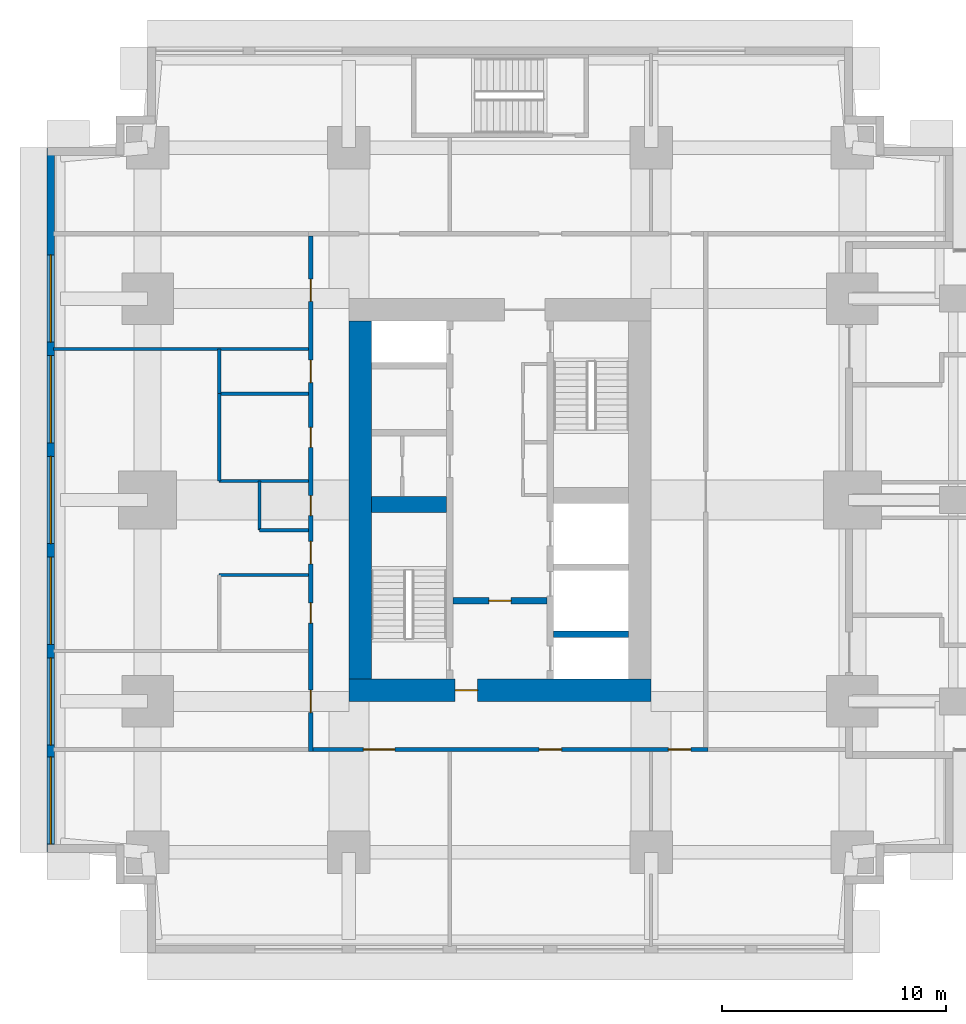
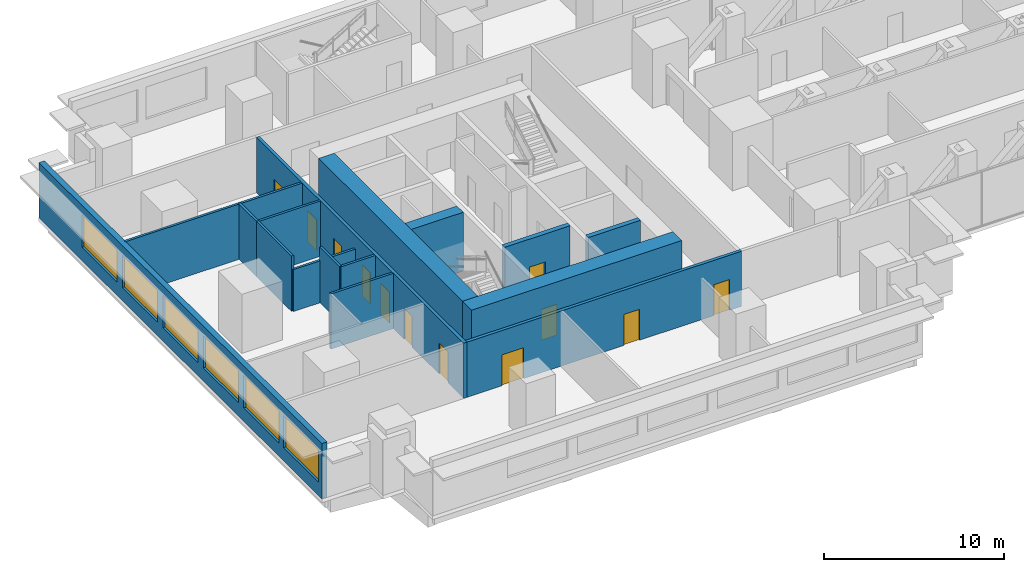
# One storey, part 7 of 16: 16 walls, 12 doors, 6 windows, 18 openings.
"""IFC4 building model written with IfcOpenShell, lengths in metres."""

from ifc_helpers import new_model, si_unit, direction, frame, frame_2d, origin, place, context, subcontext, project, spatial, rectangle, extrude, material, layer, layer_set, type_object, element, fill, save


model = new_model("IFC4")

# Units and contexts
model_context = context("Model", 3, precision=1e-05, world=origin(), true_north=direction((0.0, 1.0)))
body_context = subcontext(model_context, "Body", "Model", "MODEL_VIEW")
ifc_project = project(units=[si_unit("LENGTHUNIT", "METRE"), si_unit("AREAUNIT", "SQUARE_METRE"), si_unit("VOLUMEUNIT", "CUBIC_METRE"), si_unit("PLANEANGLEUNIT", "RADIAN"), si_unit("MASSUNIT", "GRAM", prefix="KILO")], contexts=[model_context])

# Site, building, storey
site_placement = place(None, origin())
site = spatial("IfcSite", under=ifc_project, at=site_placement, CompositionType="ELEMENT")
building_placement = place(site_placement, origin())
building = spatial("IfcBuilding", under=site, at=building_placement, Name="Namib Vertical Campus", CompositionType="ELEMENT")
storey_placement = place(building_placement, frame((0.0, 0.0, 121.0)))
storey = spatial("IfcBuildingStorey", under=building, at=storey_placement, Name="L28", CompositionType="ELEMENT", Elevation=121.0)

# Wall, opening, door
ifc_material_1 = material(Name="Concrete C60/75", Category="concrete")
ifc_layer_1 = layer(ifc_material_1, 0.300048828125)
ifc_layer_set_1 = layer_set([ifc_layer_1], Name="Concrete C60/75")
wall_type_1 = type_object("IfcWallType", Name="Core inner wall 300", PredefinedType="SHEAR", material=ifc_layer_set_1)
wall_1_placement = place(storey_placement, frame((18.14990234375, 15.75, 0.0), z_axis=(0.0, 0.0, 1.0), x_axis=(1.0, 0.0, 0.0)))
wall_1 = element("IfcWall", 1, at=wall_1_placement, inside=storey, type_object=wall_type_1, Name="Core inner wall A L28 W4", PredefinedType="SHEAR", context=body_context, shape_type="SweptSolid", body=[
    extrude(rectangle(XDim=4.2001953125, YDim=0.300048828125, at=frame_2d((2.10009765625, 0.0))), origin(), (0.0, 0.0, 1.0), 4.0),
])
opening_1_placement = place(wall_1_placement, frame((1.60009765625, 0.0, 0.0)))
opening_1 = element("IfcOpeningElement", 2, at=opening_1_placement, cuts=wall_1, Name="Opening FD5", PredefinedType="OPENING", context=body_context, shape_type="SweptSolid", body=[
    extrude(rectangle(XDim=1.0, YDim=2.10009765625, at=frame_2d((0.5, 1.050048828125))), frame((0.0, 0.159912109375, 0.0), z_axis=(0.0, -1.0, 0.0), x_axis=(1.0, 0.0, 0.0)), (0.0, 0.0, 1.0), 0.320068359375),
])
ifc_material_2 = material(Name="Steel fire door", Category="steel")
door_type_1 = type_object("IfcDoorType", Name="Fire door 1000x2100 120 min", OperationType="SINGLE_SWING_RIGHT", PredefinedType="DOOR", material=ifc_material_2)
door_1_placement = place(opening_1_placement, frame((1.0, 0.0, 0.0), z_axis=(0.0, 0.0, 1.0), x_axis=(-1.0, 0.0, 0.0)))
door_1 = element("IfcDoor", 3, at=door_1_placement, inside=storey, type_object=door_type_1, Name="Lobby door FD5 A L28", OperationType="SINGLE_SWING_RIGHT", OverallHeight=2.10009765625, OverallWidth=1.0, PredefinedType="DOOR", context=body_context, shape_type="SweptSolid", body=[
    extrude(rectangle(XDim=1.0, YDim=2.10009765625, at=frame_2d((0.5, 1.050048828125))), frame((0.0, 0.02490234375, 0.0), z_axis=(0.0, -1.0, 0.0), x_axis=(1.0, 0.0, 0.0)), (0.0, 0.0, 1.0), 0.050048828125),
])
fill(opening_1, door_1)

# Walls
wall_2_placement = place(storey_placement, frame((22.64990234375, 14.25, 0.0), z_axis=(0.0, 0.0, 1.0), x_axis=(1.0, 0.0, 0.0)))
element("IfcWall", 4, at=wall_2_placement, inside=storey, type_object=wall_type_1, Name="Core inner wall A L28 W5", PredefinedType="SHEAR", context=body_context, shape_type="SweptSolid", body=[
    extrude(rectangle(XDim=3.35009765625, YDim=0.300048828125, at=frame_2d((1.675048828125, 0.0))), origin(), (0.0, 0.0, 1.0), 4.0),
])
ifc_material_3 = material(Name="Concrete C60/75", Category="concrete")
ifc_layer_2 = layer(ifc_material_3, 0.699951171875)
ifc_layer_set_2 = layer_set([ifc_layer_2], Name="Concrete C60/75")
wall_type_2 = type_object("IfcWallType", Name="Core shear wall 700", PredefinedType="SHEAR", material=ifc_layer_set_2)
wall_3_placement = place(storey_placement, frame((14.5, 20.050048828125, 0.0), z_axis=(0.0, 0.0, 1.0), x_axis=(1.0, 0.0, 0.0)))
element("IfcWall", 5, at=wall_3_placement, inside=storey, type_object=wall_type_2, Name="Core shear wall A L28 W3", PredefinedType="SHEAR", context=body_context, shape_type="SweptSolid", body=[
    extrude(rectangle(XDim=3.35009765625, YDim=0.699951171875, at=frame_2d((1.675048828125, 0.0))), origin(), (0.0, 0.0, 1.0), 4.0),
])

# Wall, opening, door
ifc_material_4 = material(Name="Concrete C60/75", Category="concrete")
ifc_layer_3 = layer(ifc_material_4, 1.0)
ifc_layer_set_3 = layer_set([ifc_layer_3], Name="Concrete C60/75")
wall_type_3 = type_object("IfcWallType", Name="Core wall 1000", PredefinedType="SHEAR", material=ifc_layer_set_3)
wall_4_placement = place(storey_placement, frame((13.5, 11.75, 0.0), z_axis=(0.0, 0.0, 1.0), x_axis=(1.0, 0.0, 0.0)))
wall_4 = element("IfcWall", 6, at=wall_4_placement, inside=storey, type_object=wall_type_3, Name="Core wall A L28 1", PredefinedType="SHEAR", context=body_context, shape_type="SweptSolid", body=[
    extrude(rectangle(XDim=13.5, YDim=1.0, at=frame_2d((6.75, 0.0))), origin(), (0.0, 0.0, 1.0), 4.0),
])
opening_2_placement = place(wall_4_placement, frame((4.75, 0.0, 0.0)))
opening_2 = element("IfcOpeningElement", 7, at=opening_2_placement, cuts=wall_4, Name="Opening FD5", PredefinedType="OPENING", context=body_context, shape_type="SweptSolid", body=[
    extrude(rectangle(XDim=1.0, YDim=2.10009765625, at=frame_2d((0.5, 1.050048828125))), frame((0.0, 0.510009765625, 0.0), z_axis=(0.0, -1.0, 0.0), x_axis=(1.0, 0.0, 0.0)), (0.0, 0.0, 1.0), 1.02001953125),
])
door_2_placement = place(opening_2_placement, origin())
door_2 = element("IfcDoor", 8, at=door_2_placement, inside=storey, type_object=door_type_1, Name="Firefighting lobby door FD5 A L28", OperationType="SINGLE_SWING_LEFT", OverallHeight=2.10009765625, OverallWidth=1.0, PredefinedType="DOOR", context=body_context, shape_type="SweptSolid", body=[
    extrude(rectangle(XDim=1.0, YDim=2.10009765625, at=frame_2d((0.5, 1.050048828125))), frame((0.0, 0.02490234375, 0.0), z_axis=(0.0, -1.0, 0.0), x_axis=(1.0, 0.0, 0.0)), (0.0, 0.0, 1.0), 0.050048828125),
])
fill(opening_2, door_2)

# Wall
wall_5_placement = place(storey_placement, frame((14.0, 28.25, 0.0), z_axis=(0.0, 0.0, 1.0), x_axis=(0.0, -1.0, 0.0)))
element("IfcWall", 9, at=wall_5_placement, inside=storey, type_object=wall_type_3, Name="Core wall A L28 4", PredefinedType="SHEAR", context=body_context, shape_type="SweptSolid", body=[
    extrude(rectangle(XDim=16.0, YDim=1.0, at=frame_2d((8.0, 0.0))), origin(), (0.0, 0.0, 1.0), 4.0),
])

# Wall, openings, doors
ifc_material_5 = material(Name="Concrete masonry", Category="masonry")
ifc_layer_4 = layer(ifc_material_5, 0.199951171875)
ifc_layer_set_4 = layer_set([ifc_layer_4], Name="Corridor wall 200")
wall_type_4 = type_object("IfcWallType", Name="Corridor wall 200", PredefinedType="SOLIDWALL", material=ifc_layer_set_4)
wall_6_placement = place(storey_placement, frame((11.89990234375, 9.10009765625, 0.0), z_axis=(0.0, 0.0, 1.0), x_axis=(1.0, 0.0, 0.0)))
wall_6 = element("IfcWall", 10, at=wall_6_placement, inside=storey, type_object=wall_type_4, Name="Corridor wall A L28 CS", PredefinedType="SOLIDWALL", context=body_context, shape_type="SweptSolid", body=[
    extrude(rectangle(XDim=17.650146484375, YDim=0.199951171875, at=frame_2d((8.8251953125, 0.0))), origin(), (0.0, 0.0, 1.0), 3.75),
])
opening_3_placement = place(wall_6_placement, frame((2.25, 0.0, 0.0)))
opening_3 = element("IfcOpeningElement", 11, at=opening_3_placement, cuts=wall_6, Name="Opening LB1", PredefinedType="OPENING", context=body_context, shape_type="SweptSolid", body=[
    extrude(rectangle(XDim=1.39990234375, YDim=2.10009765625, at=frame_2d((0.699951171875, 1.050048828125))), frame((0.0, 0.10986328125, 0.0), z_axis=(0.0, -1.0, 0.0), x_axis=(1.0, 0.0, 0.0)), (0.0, 0.0, 1.0), 0.219970703125),
])
opening_4_placement = place(wall_6_placement, frame((10.10009765625, 0.0, 0.0)))
opening_4 = element("IfcOpeningElement", 12, at=opening_4_placement, cuts=wall_6, Name="Opening CD1", PredefinedType="OPENING", context=body_context, shape_type="SweptSolid", body=[
    extrude(rectangle(XDim=1.0, YDim=2.10009765625, at=frame_2d((0.5, 1.050048828125))), frame((0.0, 0.10986328125, 0.0), z_axis=(0.0, -1.0, 0.0), x_axis=(1.0, 0.0, 0.0)), (0.0, 0.0, 1.0), 0.219970703125),
])
opening_5_placement = place(wall_6_placement, frame((15.875, 0.0, 0.0)))
opening_5 = element("IfcOpeningElement", 13, at=opening_5_placement, cuts=wall_6, Name="Opening CD1", PredefinedType="OPENING", context=body_context, shape_type="SweptSolid", body=[
    extrude(rectangle(XDim=1.0, YDim=2.10009765625, at=frame_2d((0.5, 1.050048828125))), frame((0.0, 0.10986328125, 0.0), z_axis=(0.0, -1.0, 0.0), x_axis=(1.0, 0.0, 0.0)), (0.0, 0.0, 1.0), 0.219970703125),
])
ifc_material_6 = material(Name="Timber fire door leaf", Category="wood")
door_type_2 = type_object("IfcDoorType", Name="Corridor door 1000x2100 20 min", OperationType="SINGLE_SWING_LEFT", PredefinedType="DOOR", material=ifc_material_6)
door_3_placement = place(opening_4_placement, frame((1.0, 0.0, 0.0), z_axis=(0.0, 0.0, 1.0), x_axis=(-1.0, 0.0, 0.0)))
door_3 = element("IfcDoor", 14, at=door_3_placement, inside=storey, type_object=door_type_2, Name="Door CD1 A28-02", OperationType="SINGLE_SWING_RIGHT", OverallHeight=2.10009765625, OverallWidth=1.0, PredefinedType="DOOR", context=body_context, shape_type="SweptSolid", body=[
    extrude(rectangle(XDim=1.0, YDim=2.10009765625, at=frame_2d((0.5, 1.050048828125))), frame((0.0, 0.02490234375, 0.0), z_axis=(0.0, -1.0, 0.0), x_axis=(1.0, 0.0, 0.0)), (0.0, 0.0, 1.0), 0.050048828125),
])
fill(opening_4, door_3)
door_4_placement = place(opening_5_placement, frame((1.0, 0.0, 0.0), z_axis=(0.0, 0.0, 1.0), x_axis=(-1.0, 0.0, 0.0)))
door_4 = element("IfcDoor", 15, at=door_4_placement, inside=storey, type_object=door_type_2, Name="Door CD1 A28-03", OperationType="SINGLE_SWING_RIGHT", OverallHeight=2.10009765625, OverallWidth=1.0, PredefinedType="DOOR", context=body_context, shape_type="SweptSolid", body=[
    extrude(rectangle(XDim=1.0, YDim=2.10009765625, at=frame_2d((0.5, 1.050048828125))), frame((0.0, 0.02490234375, 0.0), z_axis=(0.0, -1.0, 0.0), x_axis=(1.0, 0.0, 0.0)), (0.0, 0.0, 1.0), 0.050048828125),
])
fill(opening_5, door_4)
ifc_material_7 = material(Name="Timber fire door leaf", Category="wood")
door_type_3 = type_object("IfcDoorType", Name="Laboratory door 1400x2100 leaf and a half", OperationType="DOUBLE_DOOR_SINGLE_SWING", PredefinedType="DOOR", material=ifc_material_7)
door_5_placement = place(opening_3_placement, frame((1.39990234375, 0.0, 0.0), z_axis=(0.0, 0.0, 1.0), x_axis=(-1.0, 0.0, 0.0)))
door_5 = element("IfcDoor", 16, at=door_5_placement, inside=storey, type_object=door_type_3, Name="Door LB1 A28-01", OperationType="DOUBLE_DOOR_SINGLE_SWING", OverallHeight=2.10009765625, OverallWidth=1.39990234375, PredefinedType="DOOR", context=body_context, shape_type="SweptSolid", body=[
    extrude(rectangle(XDim=1.39990234375, YDim=2.10009765625, at=frame_2d((0.699951171875, 1.050048828125))), frame((0.0, 0.02490234375, 0.0), z_axis=(0.0, -1.0, 0.0), x_axis=(1.0, 0.0, 0.0)), (0.0, 0.0, 1.0), 0.050048828125),
])
fill(opening_3, door_5)

wall_7_placement = place(storey_placement, frame((11.800048828125, 32.050048828125, 0.0), z_axis=(0.0, 0.0, 1.0), x_axis=(0.0, -1.0, 0.0)))
wall_7 = element("IfcWall", 17, at=wall_7_placement, inside=storey, type_object=wall_type_4, Name="Corridor wall A L28 CW", PredefinedType="SOLIDWALL", context=body_context, shape_type="SweptSolid", body=[
    extrude(rectangle(XDim=23.050048828125, YDim=0.199951171875, at=frame_2d((11.52490234375, 0.0))), origin(), (0.0, 0.0, 1.0), 3.75),
])
opening_6_placement = place(wall_7_placement, frame((20.300048828125, 0.0, 0.0)))
opening_6 = element("IfcOpeningElement", 18, at=opening_6_placement, cuts=wall_7, Name="Opening CD1", PredefinedType="OPENING", context=body_context, shape_type="SweptSolid", body=[
    extrude(rectangle(XDim=1.0, YDim=2.10009765625, at=frame_2d((0.5, 1.050048828125))), frame((0.0, 0.10986328125, 0.0), z_axis=(0.0, -1.0, 0.0), x_axis=(1.0, 0.0, 0.0)), (0.0, 0.0, 1.0), 0.219970703125),
])
opening_7_placement = place(wall_7_placement, frame((16.39990234375, 0.0, 0.0)))
opening_7 = element("IfcOpeningElement", 19, at=opening_7_placement, cuts=wall_7, Name="Opening CD3", PredefinedType="OPENING", context=body_context, shape_type="SweptSolid", body=[
    extrude(rectangle(XDim=0.89990234375, YDim=2.10009765625, at=frame_2d((0.449951171875, 1.050048828125))), frame((0.0, 0.10986328125, 0.0), z_axis=(0.0, -1.0, 0.0), x_axis=(1.0, 0.0, 0.0)), (0.0, 0.0, 1.0), 0.219970703125),
])
opening_8_placement = place(wall_7_placement, frame((11.60009765625, 0.0, 0.0)))
opening_8 = element("IfcOpeningElement", 20, at=opening_8_placement, cuts=wall_7, Name="Opening CD3", PredefinedType="OPENING", context=body_context, shape_type="SweptSolid", body=[
    extrude(rectangle(XDim=0.89990234375, YDim=2.10009765625, at=frame_2d((0.449951171875, 1.050048828125))), frame((0.0, 0.10986328125, 0.0), z_axis=(0.0, -1.0, 0.0), x_axis=(1.0, 0.0, 0.0)), (0.0, 0.0, 1.0), 0.219970703125),
])
opening_9_placement = place(wall_7_placement, frame((8.550048828125, 0.0, 0.0)))
opening_9 = element("IfcOpeningElement", 21, at=opening_9_placement, cuts=wall_7, Name="Opening CD3", PredefinedType="OPENING", context=body_context, shape_type="SweptSolid", body=[
    extrude(rectangle(XDim=0.89990234375, YDim=2.10009765625, at=frame_2d((0.449951171875, 1.050048828125))), frame((0.0, 0.10986328125, 0.0), z_axis=(0.0, -1.0, 0.0), x_axis=(1.0, 0.0, 0.0)), (0.0, 0.0, 1.0), 0.219970703125),
])
opening_10_placement = place(wall_7_placement, frame((5.550048828125, 0.0, 0.0)))
opening_10 = element("IfcOpeningElement", 22, at=opening_10_placement, cuts=wall_7, Name="Opening CD1", PredefinedType="OPENING", context=body_context, shape_type="SweptSolid", body=[
    extrude(rectangle(XDim=1.0, YDim=2.10009765625, at=frame_2d((0.5, 1.050048828125))), frame((0.0, 0.10986328125, 0.0), z_axis=(0.0, -1.0, 0.0), x_axis=(1.0, 0.0, 0.0)), (0.0, 0.0, 1.0), 0.219970703125),
])
opening_11_placement = place(wall_7_placement, frame((13.64990234375, 0.0, 0.0)))
opening_11 = element("IfcOpeningElement", 23, at=opening_11_placement, cuts=wall_7, Name="Opening CD1", PredefinedType="OPENING", context=body_context, shape_type="SweptSolid", body=[
    extrude(rectangle(XDim=1.0, YDim=2.10009765625, at=frame_2d((0.5, 1.050048828125))), frame((0.0, 0.10986328125, 0.0), z_axis=(0.0, -1.0, 0.0), x_axis=(1.0, 0.0, 0.0)), (0.0, 0.0, 1.0), 0.219970703125),
])
opening_12_placement = place(wall_7_placement, frame((1.925048828125, 0.0, 0.0)))
opening_12 = element("IfcOpeningElement", 24, at=opening_12_placement, cuts=wall_7, Name="Opening CD1", PredefinedType="OPENING", context=body_context, shape_type="SweptSolid", body=[
    extrude(rectangle(XDim=1.0, YDim=2.10009765625, at=frame_2d((0.5, 1.050048828125))), frame((0.0, 0.10986328125, 0.0), z_axis=(0.0, -1.0, 0.0), x_axis=(1.0, 0.0, 0.0)), (0.0, 0.0, 1.0), 0.219970703125),
])
door_6_placement = place(opening_6_placement, frame((1.0, 0.0, 0.0), z_axis=(0.0, 0.0, 1.0), x_axis=(-1.0, 0.0, 0.0)))
door_6 = element("IfcDoor", 25, at=door_6_placement, inside=storey, type_object=door_type_2, Name="Door CD1 A28-08", OperationType="SINGLE_SWING_RIGHT", OverallHeight=2.10009765625, OverallWidth=1.0, PredefinedType="DOOR", context=body_context, shape_type="SweptSolid", body=[
    extrude(rectangle(XDim=1.0, YDim=2.10009765625, at=frame_2d((0.5, 1.050048828125))), frame((0.0, 0.02490234375, 0.0), z_axis=(0.0, -1.0, 0.0), x_axis=(1.0, 0.0, 0.0)), (0.0, 0.0, 1.0), 0.050048828125),
])
fill(opening_6, door_6)
door_7_placement = place(opening_10_placement, frame((1.0, 0.0, 0.0), z_axis=(0.0, 0.0, 1.0), x_axis=(-1.0, 0.0, 0.0)))
door_7 = element("IfcDoor", 26, at=door_7_placement, inside=storey, type_object=door_type_2, Name="Door CD1 A28-12", OperationType="SINGLE_SWING_RIGHT", OverallHeight=2.10009765625, OverallWidth=1.0, PredefinedType="DOOR", context=body_context, shape_type="SweptSolid", body=[
    extrude(rectangle(XDim=1.0, YDim=2.10009765625, at=frame_2d((0.5, 1.050048828125))), frame((0.0, 0.02490234375, 0.0), z_axis=(0.0, -1.0, 0.0), x_axis=(1.0, 0.0, 0.0)), (0.0, 0.0, 1.0), 0.050048828125),
])
fill(opening_10, door_7)
door_8_placement = place(opening_11_placement, frame((1.0, 0.0, 0.0), z_axis=(0.0, 0.0, 1.0), x_axis=(-1.0, 0.0, 0.0)))
door_8 = element("IfcDoor", 27, at=door_8_placement, inside=storey, type_object=door_type_2, Name="Door CD1 A28-13", OperationType="SINGLE_SWING_RIGHT", OverallHeight=2.10009765625, OverallWidth=1.0, PredefinedType="DOOR", context=body_context, shape_type="SweptSolid", body=[
    extrude(rectangle(XDim=1.0, YDim=2.10009765625, at=frame_2d((0.5, 1.050048828125))), frame((0.0, 0.02490234375, 0.0), z_axis=(0.0, -1.0, 0.0), x_axis=(1.0, 0.0, 0.0)), (0.0, 0.0, 1.0), 0.050048828125),
])
fill(opening_11, door_8)
door_9_placement = place(opening_12_placement, frame((1.0, 0.0, 0.0), z_axis=(0.0, 0.0, 1.0), x_axis=(-1.0, 0.0, 0.0)))
door_9 = element("IfcDoor", 28, at=door_9_placement, inside=storey, type_object=door_type_2, Name="Door CD1 A28-14", OperationType="SINGLE_SWING_RIGHT", OverallHeight=2.10009765625, OverallWidth=1.0, PredefinedType="DOOR", context=body_context, shape_type="SweptSolid", body=[
    extrude(rectangle(XDim=1.0, YDim=2.10009765625, at=frame_2d((0.5, 1.050048828125))), frame((0.0, 0.02490234375, 0.0), z_axis=(0.0, -1.0, 0.0), x_axis=(1.0, 0.0, 0.0)), (0.0, 0.0, 1.0), 0.050048828125),
])
fill(opening_12, door_9)
ifc_material_8 = material(Name="Timber fire door leaf", Category="wood")
door_type_4 = type_object("IfcDoorType", Name="Corridor toilet door 900x2100 20 min", OperationType="SINGLE_SWING_LEFT", PredefinedType="DOOR", material=ifc_material_8)
door_10_placement = place(opening_7_placement, frame((0.89990234375, 0.0, 0.0), z_axis=(0.0, 0.0, 1.0), x_axis=(-1.0, 0.0, 0.0)))
door_10 = element("IfcDoor", 29, at=door_10_placement, inside=storey, type_object=door_type_4, Name="Door CD3 A28-09", OperationType="SINGLE_SWING_RIGHT", OverallHeight=2.10009765625, OverallWidth=0.89990234375, PredefinedType="DOOR", context=body_context, shape_type="SweptSolid", body=[
    extrude(rectangle(XDim=0.89990234375, YDim=2.10009765625, at=frame_2d((0.449951171875, 1.050048828125))), frame((0.0, 0.02490234375, 0.0), z_axis=(0.0, -1.0, 0.0), x_axis=(1.0, 0.0, 0.0)), (0.0, 0.0, 1.0), 0.050048828125),
])
fill(opening_7, door_10)
door_11_placement = place(opening_8_placement, frame((0.89990234375, 0.0, 0.0), z_axis=(0.0, 0.0, 1.0), x_axis=(-1.0, 0.0, 0.0)))
door_11 = element("IfcDoor", 30, at=door_11_placement, inside=storey, type_object=door_type_4, Name="Door CD3 A28-10", OperationType="SINGLE_SWING_RIGHT", OverallHeight=2.10009765625, OverallWidth=0.89990234375, PredefinedType="DOOR", context=body_context, shape_type="SweptSolid", body=[
    extrude(rectangle(XDim=0.89990234375, YDim=2.10009765625, at=frame_2d((0.449951171875, 1.050048828125))), frame((0.0, 0.02490234375, 0.0), z_axis=(0.0, -1.0, 0.0), x_axis=(1.0, 0.0, 0.0)), (0.0, 0.0, 1.0), 0.050048828125),
])
fill(opening_8, door_11)
door_12_placement = place(opening_9_placement, frame((0.89990234375, 0.0, 0.0), z_axis=(0.0, 0.0, 1.0), x_axis=(-1.0, 0.0, 0.0)))
door_12 = element("IfcDoor", 31, at=door_12_placement, inside=storey, type_object=door_type_4, Name="Door CD3 A28-11", OperationType="SINGLE_SWING_RIGHT", OverallHeight=2.10009765625, OverallWidth=0.89990234375, PredefinedType="DOOR", context=body_context, shape_type="SweptSolid", body=[
    extrude(rectangle(XDim=0.89990234375, YDim=2.10009765625, at=frame_2d((0.449951171875, 1.050048828125))), frame((0.0, 0.02490234375, 0.0), z_axis=(0.0, -1.0, 0.0), x_axis=(1.0, 0.0, 0.0)), (0.0, 0.0, 1.0), 0.050048828125),
])
fill(opening_9, door_12)

# Wall, openings, windows
ifc_material_9 = material(Name="Concrete C40/50", Category="concrete")
ifc_layer_5 = layer(ifc_material_9, 0.35009765625)
ifc_layer_set_5 = layer_set([ifc_layer_5], Name="Concrete C40/50")
wall_type_5 = type_object("IfcWallType", Name="External wall 350 bush-hammered concrete", PredefinedType="STANDARD", material=ifc_layer_set_5)
wall_8_placement = place(storey_placement, frame((0.175048828125, 35.97998046875, 0.0), z_axis=(0.0, 0.0, 1.0), x_axis=(0.0, -1.0, 0.0)))
wall_8 = element("IfcWall", 32, at=wall_8_placement, inside=storey, type_object=wall_type_5, Name="External wall L28 F21", PredefinedType="STANDARD", context=body_context, shape_type="SweptSolid", body=[
    extrude(rectangle(XDim=31.4599609375, YDim=0.35009765625, at=frame_2d((15.72998046875, 0.0))), origin(), (0.0, 0.0, 1.0), 3.75),
])
opening_13_placement = place(wall_8_placement, frame((27.2099609375, 0.0, 0.89990234375)))
opening_13 = element("IfcOpeningElement", 33, at=opening_13_placement, cuts=wall_8, Name="Opening W1", PredefinedType="OPENING", context=body_context, shape_type="SweptSolid", body=[
    extrude(rectangle(XDim=3.89990234375, YDim=2.199951171875, at=frame_2d((1.949951171875, 1.10009765625))), frame((0.0, 0.18505859375, 0.0), z_axis=(0.0, -1.0, 0.0), x_axis=(1.0, 0.0, 0.0)), (0.0, 0.0, 1.0), 0.3701171875),
])
opening_14_placement = place(wall_8_placement, frame((22.780029296875, 0.0, 0.89990234375)))
opening_14 = element("IfcOpeningElement", 34, at=opening_14_placement, cuts=wall_8, Name="Opening W1", PredefinedType="OPENING", context=body_context, shape_type="SweptSolid", body=[
    extrude(rectangle(XDim=3.89990234375, YDim=2.199951171875, at=frame_2d((1.949951171875, 1.10009765625))), frame((0.0, 0.18505859375, 0.0), z_axis=(0.0, -1.0, 0.0), x_axis=(1.0, 0.0, 0.0)), (0.0, 0.0, 1.0), 0.3701171875),
])
opening_15_placement = place(wall_8_placement, frame((18.280029296875, 0.0, 0.89990234375)))
opening_15 = element("IfcOpeningElement", 35, at=opening_15_placement, cuts=wall_8, Name="Opening W1", PredefinedType="OPENING", context=body_context, shape_type="SweptSolid", body=[
    extrude(rectangle(XDim=3.89990234375, YDim=2.199951171875, at=frame_2d((1.949951171875, 1.10009765625))), frame((0.0, 0.18505859375, 0.0), z_axis=(0.0, -1.0, 0.0), x_axis=(1.0, 0.0, 0.0)), (0.0, 0.0, 1.0), 0.3701171875),
])
opening_16_placement = place(wall_8_placement, frame((13.780029296875, 0.0, 0.89990234375)))
opening_16 = element("IfcOpeningElement", 36, at=opening_16_placement, cuts=wall_8, Name="Opening W1", PredefinedType="OPENING", context=body_context, shape_type="SweptSolid", body=[
    extrude(rectangle(XDim=3.89990234375, YDim=2.199951171875, at=frame_2d((1.949951171875, 1.10009765625))), frame((0.0, 0.18505859375, 0.0), z_axis=(0.0, -1.0, 0.0), x_axis=(1.0, 0.0, 0.0)), (0.0, 0.0, 1.0), 0.3701171875),
])
opening_17_placement = place(wall_8_placement, frame((9.280029296875, 0.0, 0.89990234375)))
opening_17 = element("IfcOpeningElement", 37, at=opening_17_placement, cuts=wall_8, Name="Opening W1", PredefinedType="OPENING", context=body_context, shape_type="SweptSolid", body=[
    extrude(rectangle(XDim=3.89990234375, YDim=2.199951171875, at=frame_2d((1.949951171875, 1.10009765625))), frame((0.0, 0.18505859375, 0.0), z_axis=(0.0, -1.0, 0.0), x_axis=(1.0, 0.0, 0.0)), (0.0, 0.0, 1.0), 0.3701171875),
])
opening_18_placement = place(wall_8_placement, frame((4.780029296875, 0.0, 0.89990234375)))
opening_18 = element("IfcOpeningElement", 38, at=opening_18_placement, cuts=wall_8, Name="Opening W1", PredefinedType="OPENING", context=body_context, shape_type="SweptSolid", body=[
    extrude(rectangle(XDim=3.89990234375, YDim=2.199951171875, at=frame_2d((1.949951171875, 1.10009765625))), frame((0.0, 0.18505859375, 0.0), z_axis=(0.0, -1.0, 0.0), x_axis=(1.0, 0.0, 0.0)), (0.0, 0.0, 1.0), 0.3701171875),
])
ifc_material_10 = material(Name="Dark tinted glass in black aluminium frame", Category="aluminium")
window_type = type_object("IfcWindowType", Name="Ribbon window 3900x2200", PartitioningType="SINGLE_PANEL", PredefinedType="WINDOW", material=ifc_material_10)
window_1_placement = place(opening_13_placement, origin())
window_1 = element("IfcWindow", 39, at=window_1_placement, inside=storey, type_object=window_type, Name="Window W1 L28 F21-1", OverallHeight=2.199951171875, OverallWidth=3.89990234375, PartitioningType="SINGLE_PANEL", PredefinedType="WINDOW", context=body_context, shape_type="SweptSolid", body=[
    extrude(rectangle(XDim=3.89990234375, YDim=2.199951171875, at=frame_2d((1.949951171875, 1.10009765625))), frame((0.0, 0.030029296875, 0.0), z_axis=(0.0, -1.0, 0.0), x_axis=(1.0, 0.0, 0.0)), (0.0, 0.0, 1.0), 0.06005859375),
])
fill(opening_13, window_1)
window_2_placement = place(opening_14_placement, origin())
window_2 = element("IfcWindow", 40, at=window_2_placement, inside=storey, type_object=window_type, Name="Window W1 L28 F21-2", OverallHeight=2.199951171875, OverallWidth=3.89990234375, PartitioningType="SINGLE_PANEL", PredefinedType="WINDOW", context=body_context, shape_type="SweptSolid", body=[
    extrude(rectangle(XDim=3.89990234375, YDim=2.199951171875, at=frame_2d((1.949951171875, 1.10009765625))), frame((0.0, 0.030029296875, 0.0), z_axis=(0.0, -1.0, 0.0), x_axis=(1.0, 0.0, 0.0)), (0.0, 0.0, 1.0), 0.06005859375),
])
fill(opening_14, window_2)
window_3_placement = place(opening_15_placement, origin())
window_3 = element("IfcWindow", 41, at=window_3_placement, inside=storey, type_object=window_type, Name="Window W1 L28 F21-3", OverallHeight=2.199951171875, OverallWidth=3.89990234375, PartitioningType="SINGLE_PANEL", PredefinedType="WINDOW", context=body_context, shape_type="SweptSolid", body=[
    extrude(rectangle(XDim=3.89990234375, YDim=2.199951171875, at=frame_2d((1.949951171875, 1.10009765625))), frame((0.0, 0.030029296875, 0.0), z_axis=(0.0, -1.0, 0.0), x_axis=(1.0, 0.0, 0.0)), (0.0, 0.0, 1.0), 0.06005859375),
])
fill(opening_15, window_3)
window_4_placement = place(opening_16_placement, origin())
window_4 = element("IfcWindow", 42, at=window_4_placement, inside=storey, type_object=window_type, Name="Window W1 L28 F21-4", OverallHeight=2.199951171875, OverallWidth=3.89990234375, PartitioningType="SINGLE_PANEL", PredefinedType="WINDOW", context=body_context, shape_type="SweptSolid", body=[
    extrude(rectangle(XDim=3.89990234375, YDim=2.199951171875, at=frame_2d((1.949951171875, 1.10009765625))), frame((0.0, 0.030029296875, 0.0), z_axis=(0.0, -1.0, 0.0), x_axis=(1.0, 0.0, 0.0)), (0.0, 0.0, 1.0), 0.06005859375),
])
fill(opening_16, window_4)
window_5_placement = place(opening_17_placement, origin())
window_5 = element("IfcWindow", 43, at=window_5_placement, inside=storey, type_object=window_type, Name="Window W1 L28 F21-5", OverallHeight=2.199951171875, OverallWidth=3.89990234375, PartitioningType="SINGLE_PANEL", PredefinedType="WINDOW", context=body_context, shape_type="SweptSolid", body=[
    extrude(rectangle(XDim=3.89990234375, YDim=2.199951171875, at=frame_2d((1.949951171875, 1.10009765625))), frame((0.0, 0.030029296875, 0.0), z_axis=(0.0, -1.0, 0.0), x_axis=(1.0, 0.0, 0.0)), (0.0, 0.0, 1.0), 0.06005859375),
])
fill(opening_17, window_5)
window_6_placement = place(opening_18_placement, origin())
window_6 = element("IfcWindow", 44, at=window_6_placement, inside=storey, type_object=window_type, Name="Window W1 L28 F21-6", OverallHeight=2.199951171875, OverallWidth=3.89990234375, PartitioningType="SINGLE_PANEL", PredefinedType="WINDOW", context=body_context, shape_type="SweptSolid", body=[
    extrude(rectangle(XDim=3.89990234375, YDim=2.199951171875, at=frame_2d((1.949951171875, 1.10009765625))), frame((0.0, 0.030029296875, 0.0), z_axis=(0.0, -1.0, 0.0), x_axis=(1.0, 0.0, 0.0)), (0.0, 0.0, 1.0), 0.06005859375),
])
fill(opening_18, window_6)

# Walls
ifc_material_11 = material(Name="Gypsum board on steel studs", Category="steel")
ifc_layer_6 = layer(ifc_material_11, 0.14990234375)
ifc_layer_set_6 = layer_set([ifc_layer_6], Name="Gypsum board on steel studs")
wall_type_6 = type_object("IfcWallType", Name="Partition 150", PredefinedType="PARTITIONING", material=ifc_layer_set_6)
wall_9_placement = place(storey_placement, frame((0.300048828125, 27.0, 0.0), z_axis=(0.0, 0.0, 1.0), x_axis=(1.0, 0.0, 0.0)))
element("IfcWall", 45, at=wall_9_placement, inside=storey, type_object=wall_type_6, Name="Partition A L28 PW2", PredefinedType="PARTITIONING", context=body_context, shape_type="SweptSolid", body=[
    extrude(rectangle(XDim=11.39990234375, YDim=0.14990234375, at=frame_2d((5.699951171875, 0.0))), origin(), (0.0, 0.0, 1.0), 3.75),
])
wall_10_placement = place(storey_placement, frame((11.699951171875, 16.89990234375, 0.0), z_axis=(0.0, 0.0, 1.0), x_axis=(-1.0, 0.0, 0.0)))
element("IfcWall", 46, at=wall_10_placement, inside=storey, type_object=wall_type_6, Name="Partition A L28 WR1", PredefinedType="PARTITIONING", context=body_context, shape_type="SweptSolid", body=[
    extrude(rectangle(XDim=4.0, YDim=0.14990234375, at=frame_2d((2.0, 0.0))), origin(), (0.0, 0.0, 1.0), 3.75),
])
wall_11_placement = place(storey_placement, frame((11.699951171875, 18.89990234375, 0.0), z_axis=(0.0, 0.0, 1.0), x_axis=(-1.0, 0.0, 0.0)))
element("IfcWall", 47, at=wall_11_placement, inside=storey, type_object=wall_type_6, Name="Partition A L28 WR2", PredefinedType="PARTITIONING", context=body_context, shape_type="SweptSolid", body=[
    extrude(rectangle(XDim=2.199951171875, YDim=0.14990234375, at=frame_2d((1.10009765625, 0.0))), origin(), (0.0, 0.0, 1.0), 3.75),
])
wall_12_placement = place(storey_placement, frame((11.699951171875, 21.10009765625, 0.0), z_axis=(0.0, 0.0, 1.0), x_axis=(-1.0, 0.0, 0.0)))
element("IfcWall", 48, at=wall_12_placement, inside=storey, type_object=wall_type_6, Name="Partition A L28 WR3", PredefinedType="PARTITIONING", context=body_context, shape_type="SweptSolid", body=[
    extrude(rectangle(XDim=4.0, YDim=0.14990234375, at=frame_2d((2.0, 0.0))), origin(), (0.0, 0.0, 1.0), 2.85009765625),
])
wall_13_placement = place(storey_placement, frame((11.699951171875, 25.0, 0.0), z_axis=(0.0, 0.0, 1.0), x_axis=(-1.0, 0.0, 0.0)))
element("IfcWall", 49, at=wall_13_placement, inside=storey, type_object=wall_type_6, Name="Partition A L28 WR4", PredefinedType="PARTITIONING", context=body_context, shape_type="SweptSolid", body=[
    extrude(rectangle(XDim=4.0, YDim=0.14990234375, at=frame_2d((2.0, 0.0))), origin(), (0.0, 0.0, 1.0), 3.75),
])
wall_14_placement = place(storey_placement, frame((9.5, 18.89990234375, 0.0), z_axis=(0.0, 0.0, 1.0), x_axis=(0.0, 1.0, 0.0)))
element("IfcWall", 50, at=wall_14_placement, inside=storey, type_object=wall_type_6, Name="Partition A L28 WB2", PredefinedType="PARTITIONING", context=body_context, shape_type="SweptSolid", body=[
    extrude(rectangle(XDim=2.2001953125, YDim=0.14990234375, at=frame_2d((1.10009765625, 0.0))), origin(), (0.0, 0.0, 1.0), 3.75),
])
wall_15_placement = place(storey_placement, frame((7.699951171875, 21.10009765625, 0.0), z_axis=(0.0, 0.0, 1.0), x_axis=(0.0, 1.0, 0.0)))
element("IfcWall", 51, at=wall_15_placement, inside=storey, type_object=wall_type_6, Name="Partition A L28 WB3", PredefinedType="PARTITIONING", context=body_context, shape_type="SweptSolid", body=[
    extrude(rectangle(XDim=3.89990234375, YDim=0.14990234375, at=frame_2d((1.949951171875, 0.0))), origin(), (0.0, 0.0, 1.0), 3.75),
])
wall_16_placement = place(storey_placement, frame((7.699951171875, 25.0, 0.0), z_axis=(0.0, 0.0, 1.0), x_axis=(0.0, 1.0, 0.0)))
element("IfcWall", 52, at=wall_16_placement, inside=storey, type_object=wall_type_6, Name="Partition A L28 WB4", PredefinedType="PARTITIONING", context=body_context, shape_type="SweptSolid", body=[
    extrude(rectangle(XDim=2.0, YDim=0.14990234375, at=frame_2d((1.0, 0.0))), origin(), (0.0, 0.0, 1.0), 3.75),
])

save(model, "model.ifc")
